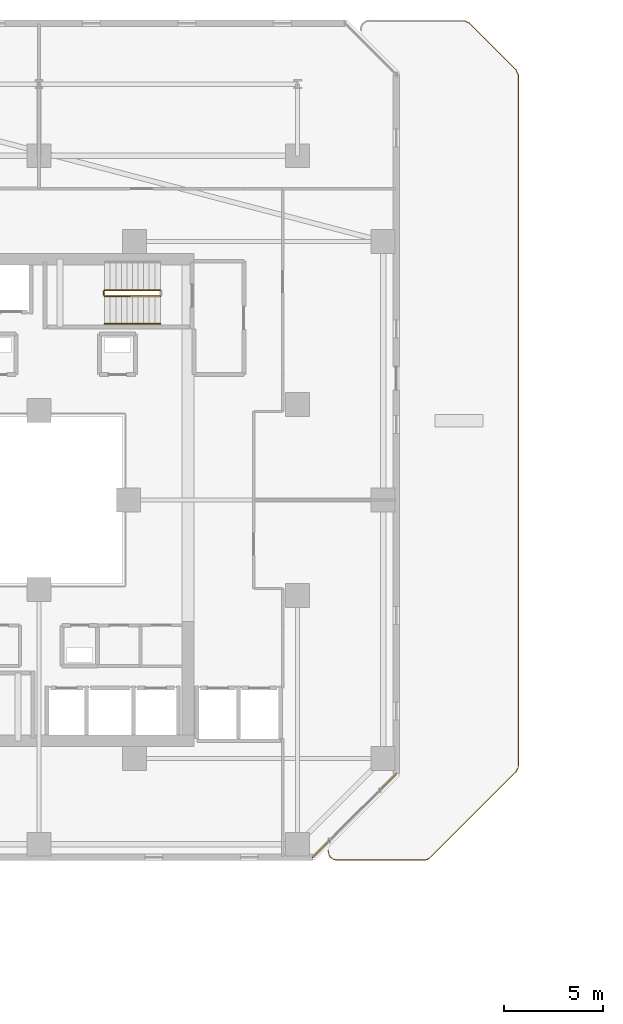
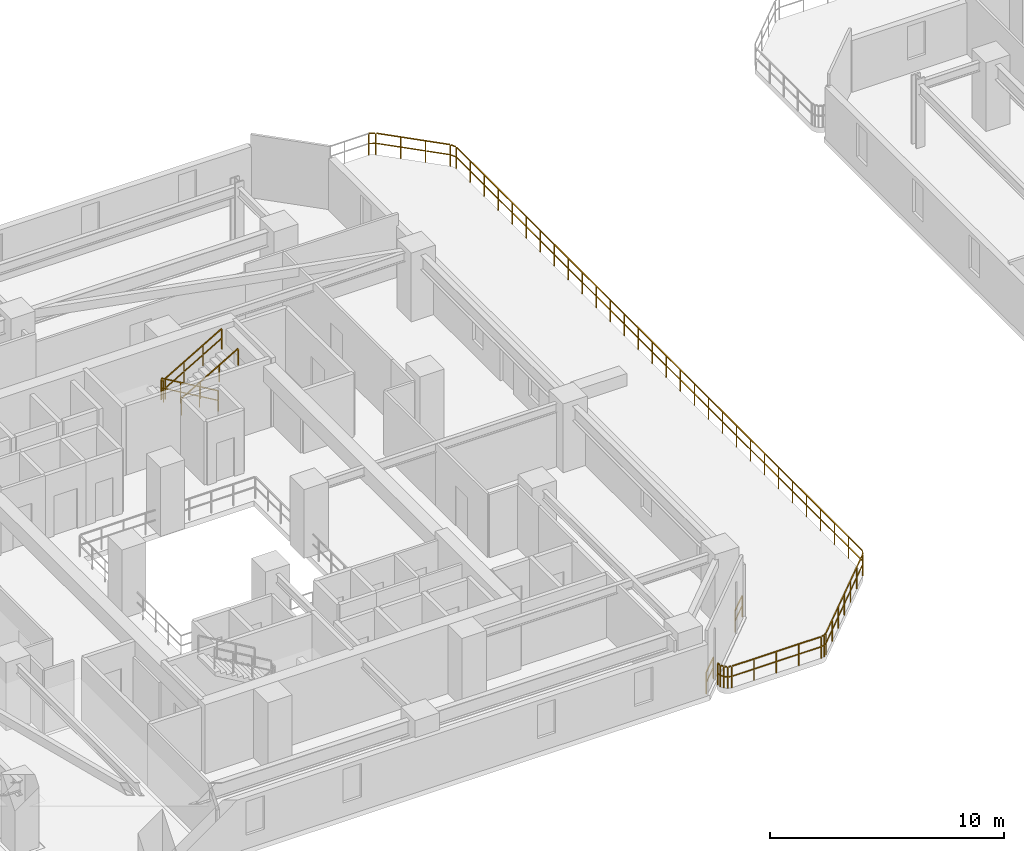
# One storey, part 30 of 33: 7 railings.
"""IFC4 building model written with IfcOpenShell, lengths in metres."""

import ifcopenshell
import ifcopenshell.guid

model = None  # the IFC model being written
_history = None  # IfcOwnerHistory: only IFC2X3 demands one
_inside = {}  # id of a spatial element -> (the spatial element, [elements in it])
_under = {}  # id of a project, library or spatial element -> (it, [spatial elements below it])
_declared = {}  # id of a project -> (the project, [libraries it declares])
_typed = {}  # id of a type object -> (the type object, [elements of that type])
_made_of = {}  # id of a material, layer set ... -> (it, [elements and type objects made of it])


def new_model(schema):
    """Start an empty IFC model of exactly this schema.

    Asked for "IFC4X3", IfcOpenShell would pick the latest addendum, in which some entities
    have other attributes; the version numbers below select the first issue.
    IFC2X3 requires an IfcOwnerHistory on every rooted entity: one is made here for all.
    """
    global model, _history
    if schema == "IFC4X3":
        model = ifcopenshell.file(schema_version=(4, 3, 0, 0))
    else:
        model = ifcopenshell.file(schema=schema)
    _inside.clear()
    _under.clear()
    _declared.clear()
    _typed.clear()
    _made_of.clear()
    _history = None
    if model.schema == "IFC2X3":
        org = make("IfcOrganization", Name="unknown")
        user = make(
            "IfcPersonAndOrganization",
            ThePerson=make("IfcPerson", FamilyName="unknown"),
            TheOrganization=org,
        )
        app = make(
            "IfcApplication",
            ApplicationDeveloper=org,
            Version="unknown",
            ApplicationFullName="unknown",
            ApplicationIdentifier="unknown",
        )
        _history = make(
            "IfcOwnerHistory",
            OwningUser=user,
            OwningApplication=app,
            ChangeAction="ADDED",
            CreationDate=0,
        )
    return model


def make(cls, **values):
    """One entity of the class cls with the attributes given. An attribute that is None is left unset."""
    return model.create_entity(
        cls, **{name: value for name, value in values.items() if value is not None}
    )


def rooted(cls, **values):
    """An entity with a GlobalId (a new one), such as an element, a storey or a relation."""
    return make(cls, GlobalId=ifcopenshell.guid.new(), OwnerHistory=_history, **values)


def si_unit(unit_type, name, prefix=None):
    """IfcSIUnit, for example si_unit("LENGTHUNIT", "METRE", prefix="MILLI")."""
    return make("IfcSIUnit", UnitType=unit_type, Prefix=prefix, Name=name)


def assignment(units):
    """IfcUnitAssignment: the units of a project."""
    return None if units is None else make("IfcUnitAssignment", Units=units)


def point(xyz):
    """IfcCartesianPoint."""
    return None if xyz is None else make("IfcCartesianPoint", Coordinates=xyz)


def direction(xyz):
    """IfcDirection."""
    return None if xyz is None else make("IfcDirection", DirectionRatios=xyz)


def frame(location, z_axis=None, x_axis=None):
    """IfcAxis2Placement3D, a coordinate frame: its origin and axes. An axis left out is left unset."""
    return make(
        "IfcAxis2Placement3D",
        Location=point(location),
        Axis=direction(z_axis),
        RefDirection=direction(x_axis),
    )


def frame_2d(location, x_axis=None):
    """IfcAxis2Placement2D, a coordinate frame in the plane: its origin and x axis."""
    return make(
        "IfcAxis2Placement2D", Location=point(location), RefDirection=direction(x_axis)
    )


def origin():
    """The frame at (0, 0, 0) with its axes left unset."""
    return frame((0.0, 0.0, 0.0))


def origin_2d():
    """The frame at (0, 0) in the plane with its x axis left unset."""
    return frame_2d((0.0, 0.0))


def place(relative_to, where):
    """IfcLocalPlacement: puts the frame where relative to a parent placement (None: the world)."""
    return make(
        "IfcLocalPlacement", PlacementRelTo=relative_to, RelativePlacement=where
    )


def context(
    kind, dimensions, precision=None, world=None, true_north=None, identifier=None
):
    """IfcGeometricRepresentationContext, for example the 3D "Model" context."""
    return make(
        "IfcGeometricRepresentationContext",
        ContextIdentifier=identifier,
        ContextType=kind,
        CoordinateSpaceDimension=dimensions,
        Precision=precision,
        WorldCoordinateSystem=world,
        TrueNorth=true_north,
    )


def subcontext(parent, identifier, kind, view, scale=None):
    """IfcGeometricRepresentationSubContext, for example "Body" below "Model"."""
    return make(
        "IfcGeometricRepresentationSubContext",
        ContextIdentifier=identifier,
        ContextType=kind,
        ParentContext=parent,
        TargetScale=scale,
        TargetView=view,
    )


def project(units=None, contexts=None):
    """IfcProject with its units and contexts."""
    return rooted(
        "IfcProject",
        Name="project",
        RepresentationContexts=contexts,
        UnitsInContext=assignment(units),
    )


def spatial(cls, under=None, at=None, **own):
    """A site, building, storey or space (cls), placed at a placement, below another one or the project."""
    s = rooted(cls, ObjectPlacement=at, **own)
    if under is not None:
        _under.setdefault(under.id(), (under, []))[1].append(s)
    return s


def profile(cls, at=None, kind="AREA", **sizes):
    """A parametric profile (cls). Its sizes go by their IFC names, for example OverallWidth=200.0."""
    return make(cls, ProfileType=kind, Position=at, **sizes)


def rectangle(**sizes):
    """IfcRectangleProfileDef."""
    return profile("IfcRectangleProfileDef", **sizes)


def extrude(swept, where, along, depth):
    """IfcExtrudedAreaSolid: the profile swept, set in the frame where, extruded along a direction by depth."""
    return make(
        "IfcExtrudedAreaSolid",
        SweptArea=swept,
        Position=where,
        ExtrudedDirection=direction(along),
        Depth=depth,
    )


def shape(context_of_items, identifier, shape_type, items):
    """IfcShapeRepresentation: the items that make up one representation, for example the "Body"."""
    return make(
        "IfcShapeRepresentation",
        ContextOfItems=context_of_items,
        RepresentationIdentifier=identifier,
        RepresentationType=shape_type,
        Items=items,
    )


def material(Name=None, Category=None):
    """IfcMaterial."""
    return make("IfcMaterial", Name=Name, Category=Category)


def made_of(thing, what):
    """Note that an element or type object is made of a material, layer set ...; save() writes the relation."""
    if what is not None:
        _made_of.setdefault(what.id(), (what, []))[1].append(thing)
    return thing


def type_object(cls, material=None, **own):
    """A type object (cls), such as IfcWallType, which elements share."""
    return made_of(rooted(cls, **own), material)


def element(
    cls,
    number,
    at=None,
    inside=None,
    cuts=None,
    type_object=None,
    material=None,
    context=None,
    identifier="Body",
    shape_type=None,
    held_by="IfcProductDefinitionShape",
    body=None,
    shapes=None,
    **own,
):
    """One element of the class cls, such as IfcWall. Its Tag is "e" and its number.

    at: its placement. inside: the storey or other place that contains it. cuts: it is an
    opening in that element (IfcRelVoidsElement). A single representation is given by context,
    identifier, shape_type and body (its items); several are given by shapes. held_by: the class
    of the entity that holds the representations. save() writes the other relations.
    """
    e = rooted(cls, Tag="e%d" % number, ObjectPlacement=at, **own)
    if body is not None:
        shapes = [shape(context, identifier, shape_type, body)]
    if shapes is not None:
        e.Representation = make(held_by, Representations=shapes)
    if inside is not None:
        _inside.setdefault(inside.id(), (inside, []))[1].append(e)
    if cuts is not None:
        rooted(
            "IfcRelVoidsElement", RelatingBuildingElement=cuts, RelatedOpeningElement=e
        )
    if type_object is not None:
        _typed.setdefault(type_object.id(), (type_object, []))[1].append(e)
    return made_of(e, material)


def aggregate(whole, parts):
    """IfcRelAggregates: a whole, such as a stair, and the parts it consists of."""
    return rooted("IfcRelAggregates", RelatingObject=whole, RelatedObjects=parts)


def save(model, path):
    """Write the relations noted so far, then the file.

    IfcRelAggregates (storeys below a building ...), IfcRelContainedInSpatialStructure (elements
    in a storey), IfcRelDefinesByType, IfcRelAssociatesMaterial and IfcRelDeclares: one each for
    every whole, place, type object, material and project.
    """
    for whole, parts in _under.values():
        aggregate(whole, parts)
    for where, things in _inside.values():
        rooted(
            "IfcRelContainedInSpatialStructure",
            RelatedElements=things,
            RelatingStructure=where,
        )
    for kind, things in _typed.values():
        rooted("IfcRelDefinesByType", RelatedObjects=things, RelatingType=kind)
    for what, things in _made_of.values():
        rooted("IfcRelAssociatesMaterial", RelatedObjects=things, RelatingMaterial=what)
    for by, libraries in _declared.values():
        rooted("IfcRelDeclares", RelatingContext=by, RelatedDefinitions=libraries)
    model.write(path)


model = new_model("IFC4")

# Units and contexts
model_context = context("Model", 3, precision=1e-05, world=origin(), true_north=direction((0.0, 1.0)))
body_context = subcontext(model_context, "Body", "Model", "MODEL_VIEW")
ifc_project = project(units=[si_unit("LENGTHUNIT", "METRE"), si_unit("AREAUNIT", "SQUARE_METRE"), si_unit("VOLUMEUNIT", "CUBIC_METRE"), si_unit("PLANEANGLEUNIT", "RADIAN"), si_unit("MASSUNIT", "GRAM", prefix="KILO")], contexts=[model_context])

# Site, building, storey
site_placement = place(None, origin())
site = spatial("IfcSite", under=ifc_project, at=site_placement, CompositionType="ELEMENT")
building_placement = place(site_placement, origin())
building = spatial("IfcBuilding", under=site, at=building_placement, Name="Thornwick Lancets Civic Towers", CompositionType="ELEMENT")
storey_placement = place(building_placement, frame((0.0, 0.0, 98.10009765625)))
storey = spatial("IfcBuildingStorey", under=building, at=storey_placement, Name="L25", CompositionType="ELEMENT", Elevation=98.10009765625)

# Railings
ifc_material_1 = material(Name="Brushed stainless steel S355", Category="steel")
railing_type_1 = type_object("IfcRailingType", Name="RAIL_HANDRAIL", PredefinedType="HANDRAIL", material=ifc_material_1)
railing_1_placement = place(storey_placement, frame((28.800048828125, 35.85009765625, 1.963623046875)))
element("IfcRailing", 1, at=railing_1_placement, inside=storey, type_object=railing_type_1, Name="L25 ST-A2 stair handrail 2", PredefinedType="HANDRAIL", context=body_context, shape_type="SweptSolid", body=[
    extrude(rectangle(XDim=0.048095703125, YDim=0.048095703125, at=origin_2d()), frame((0.0, 0.0, 0.8857421875), z_axis=(0.863393664356, 0.0, 0.504530851732), x_axis=(0.0, 1.0, 0.0)), (0.0, 0.0, 1.0), 3.2431640625),
    extrude(rectangle(XDim=0.0419921875, YDim=0.0419921875, at=origin_2d()), origin(), (0.0, 0.0, 1.0), 0.855712890625),
    extrude(rectangle(XDim=0.0419921875, YDim=0.0419921875, at=origin_2d()), frame((0.933349609375, 0.0, 0.54541015625)), (0.0, 0.0, 1.0), 0.855712890625),
    extrude(rectangle(XDim=0.0419921875, YDim=0.0419921875, at=origin_2d()), frame((1.86669921875, 0.0, 1.0908203125)), (0.0, 0.0, 1.0), 0.855712890625),
    extrude(rectangle(XDim=0.0419921875, YDim=0.0419921875, at=origin_2d()), frame((2.800048828125, 0.0, 1.63623046875)), (0.0, 0.0, 1.0), 0.855712890625),
])
ifc_material_2 = material(Name="Steel S355JR", Category="steel")
railing_type_2 = type_object("IfcRailingType", Name="RAIL_STAIR_GUARD", PredefinedType="GUARDRAIL", material=ifc_material_2)
railing_2_placement = place(storey_placement, frame((31.60009765625, 37.550048828125, 0.16357421875)))
element("IfcRailing", 2, at=railing_2_placement, inside=storey, type_object=railing_type_2, Name="L25 ST-A2 stair guard 1", PredefinedType="GUARDRAIL", context=body_context, shape_type="SweptSolid", body=[
    extrude(rectangle(XDim=0.048095703125, YDim=0.048095703125, at=origin_2d()), frame((0.0, 0.0, 1.076171875), z_axis=(-0.863393664356, 0.0, 0.504530851732), x_axis=(0.0, -1.0, 0.0)), (0.0, 0.0, 1.0), 3.2431640625),
    extrude(rectangle(XDim=0.0419921875, YDim=0.0419921875, at=origin_2d()), frame((-0.032470703125, 0.0, 0.591064453125), z_axis=(-0.863393664356, 0.0, 0.504530851732), x_axis=(0.0, -1.0, 0.0)), (0.0, 0.0, 1.0), 1.006103515625),
    extrude(rectangle(XDim=0.0419921875, YDim=0.0419921875, at=origin_2d()), frame((-0.9658203125, 0.0, 1.136474609375), z_axis=(-0.863393664356, 0.0, 0.504530851732), x_axis=(0.0, -1.0, 0.0)), (0.0, 0.0, 1.0), 1.006103515625),
    extrude(rectangle(XDim=0.0419921875, YDim=0.0419921875, at=origin_2d()), frame((-1.899169921875, 0.0, 1.681884765625), z_axis=(-0.863393664356, 0.0, 0.504530851732), x_axis=(0.0, -1.0, 0.0)), (0.0, 0.0, 1.0), 1.006103515625),
    extrude(rectangle(XDim=0.0419921875, YDim=0.0419921875, at=origin_2d()), origin(), (0.0, 0.0, 1.0), 1.0458984375),
    extrude(rectangle(XDim=0.0419921875, YDim=0.0419921875, at=origin_2d()), frame((-0.933349609375, 0.0, 0.54541015625)), (0.0, 0.0, 1.0), 1.0458984375),
    extrude(rectangle(XDim=0.0419921875, YDim=0.0419921875, at=origin_2d()), frame((-1.86669921875, 0.0, 1.0908203125)), (0.0, 0.0, 1.0), 1.0458984375),
    extrude(rectangle(XDim=0.0419921875, YDim=0.0419921875, at=origin_2d()), frame((-2.800048828125, 0.0, 1.63623046875)), (0.0, 0.0, 1.0), 1.0458984375),
])
railing_3_placement = place(storey_placement, frame((28.75, 37.5, 1.7998046875)))
element("IfcRailing", 3, at=railing_3_placement, inside=storey, type_object=railing_type_2, Name="L25 ST-A2 stair guard 2", PredefinedType="GUARDRAIL", context=body_context, shape_type="SweptSolid", body=[
    extrude(rectangle(XDim=0.048095703125, YDim=0.048095703125, at=origin_2d()), frame((0.0, 0.0, 1.076171875), z_axis=(0.0, -1.0, 0.0), x_axis=(1.0, 0.0, 0.0)), (0.0, 0.0, 1.0), 0.199951171875),
    extrude(rectangle(XDim=0.0419921875, YDim=0.0419921875, at=origin_2d()), frame((0.0, -0.03759765625, 0.572021484375), z_axis=(0.0, -1.0, 0.0), x_axis=(1.0, 0.0, 0.0)), (0.0, 0.0, 1.0), 0.125),
    extrude(rectangle(XDim=0.0419921875, YDim=0.0419921875, at=origin_2d()), origin(), (0.0, 0.0, 1.0), 1.0458984375),
    extrude(rectangle(XDim=0.0419921875, YDim=0.0419921875, at=origin_2d()), frame((0.0, -0.199951171875, 0.0)), (0.0, 0.0, 1.0), 1.0458984375),
])
railing_4_placement = place(storey_placement, frame((28.800048828125, 37.25, 1.963623046875)))
element("IfcRailing", 4, at=railing_4_placement, inside=storey, type_object=railing_type_2, Name="L25 ST-A2 stair guard 3", PredefinedType="GUARDRAIL", context=body_context, shape_type="SweptSolid", body=[
    extrude(rectangle(XDim=0.048095703125, YDim=0.048095703125, at=origin_2d()), frame((0.0, 0.0, 1.076171875), z_axis=(0.863393664356, 0.0, 0.504530851732), x_axis=(0.0, 1.0, 0.0)), (0.0, 0.0, 1.0), 3.2431640625),
    extrude(rectangle(XDim=0.0419921875, YDim=0.0419921875, at=origin_2d()), frame((0.032470703125, 0.0, 0.591064453125), z_axis=(0.863393664356, 0.0, 0.504530851732), x_axis=(0.0, 1.0, 0.0)), (0.0, 0.0, 1.0), 1.006103515625),
    extrude(rectangle(XDim=0.0419921875, YDim=0.0419921875, at=origin_2d()), frame((0.9658203125, 0.0, 1.136474609375), z_axis=(0.863393664356, 0.0, 0.504530851732), x_axis=(0.0, 1.0, 0.0)), (0.0, 0.0, 1.0), 1.006103515625),
    extrude(rectangle(XDim=0.0419921875, YDim=0.0419921875, at=origin_2d()), frame((1.899169921875, 0.0, 1.681884765625), z_axis=(0.863393664356, 0.0, 0.504530851732), x_axis=(0.0, 1.0, 0.0)), (0.0, 0.0, 1.0), 1.006103515625),
    extrude(rectangle(XDim=0.0419921875, YDim=0.0419921875, at=origin_2d()), origin(), (0.0, 0.0, 1.0), 1.0458984375),
    extrude(rectangle(XDim=0.0419921875, YDim=0.0419921875, at=origin_2d()), frame((0.933349609375, 0.0, 0.54541015625)), (0.0, 0.0, 1.0), 1.0458984375),
    extrude(rectangle(XDim=0.0419921875, YDim=0.0419921875, at=origin_2d()), frame((1.86669921875, 0.0, 1.0908203125)), (0.0, 0.0, 1.0), 1.0458984375),
    extrude(rectangle(XDim=0.0419921875, YDim=0.0419921875, at=origin_2d()), frame((2.800048828125, 0.0, 1.63623046875)), (0.0, 0.0, 1.0), 1.0458984375),
])
ifc_material_3 = material(Name="Terracotta-capped laminated glass balustrade S355", Category="masonry")
railing_type_3 = type_object("IfcRailingType", Name="RAIL_TERR_GUARD", PredefinedType="GUARDRAIL", material=ifc_material_3)
railing_5_placement = place(storey_placement, frame((39.251708984375, 9.04052734375, 0.0)))
element("IfcRailing", 5, at=railing_5_placement, inside=storey, type_object=railing_type_3, Name="L25 Tower A Chamfer Spandrel Guard E1-1", PredefinedType="GUARDRAIL", context=body_context, shape_type="SweptSolid", body=[
    extrude(rectangle(XDim=0.048095703125, YDim=0.048095703125, at=origin_2d()), frame((0.0, 0.0, 1.1259765625), z_axis=(0.707003741949, 0.707209805412, 0.0), x_axis=(-0.707209805412, 0.707003741949, 0.0)), (0.0, 0.0, 1.0), 1.184814453125),
    extrude(rectangle(XDim=0.0419921875, YDim=0.0419921875, at=origin_2d()), frame((0.026611328125, 0.026611328125, 0.597900390625), z_axis=(0.707003741949, 0.707209805412, 0.0), x_axis=(-0.707209805412, 0.707003741949, 0.0)), (0.0, 0.0, 1.0), 1.10986328125),
    extrude(rectangle(XDim=0.0419921875, YDim=0.0419921875, at=origin_2d()), origin(), (0.0, 0.0, 1.0), 1.095703125),
    extrude(rectangle(XDim=0.0419921875, YDim=0.0419921875, at=origin_2d()), frame((0.837646484375, 0.837890625, 0.0)), (0.0, 0.0, 1.0), 1.095703125),
])
railing_6_placement = place(storey_placement, frame((42.62158203125, 12.41064453125, 0.0)))
element("IfcRailing", 6, at=railing_6_placement, inside=storey, type_object=railing_type_3, Name="L25 Tower A Chamfer Spandrel Guard E1-2", PredefinedType="GUARDRAIL", context=body_context, shape_type="SweptSolid", body=[
    extrude(rectangle(XDim=0.048095703125, YDim=0.048095703125, at=origin_2d()), frame((0.0, 0.0, 1.1259765625), z_axis=(0.707209805412, 0.707003741949, 0.0), x_axis=(-0.707003741949, 0.707209805412, 0.0)), (0.0, 0.0, 1.0), 1.184814453125),
    extrude(rectangle(XDim=0.0419921875, YDim=0.0419921875, at=origin_2d()), frame((0.026611328125, 0.026611328125, 0.597900390625), z_axis=(0.707209805412, 0.707003741949, 0.0), x_axis=(-0.707003741949, 0.707209805412, 0.0)), (0.0, 0.0, 1.0), 1.10986328125),
    extrude(rectangle(XDim=0.0419921875, YDim=0.0419921875, at=origin_2d()), origin(), (0.0, 0.0, 1.0), 1.095703125),
    extrude(rectangle(XDim=0.0419921875, YDim=0.0419921875, at=origin_2d()), frame((0.837890625, 0.837646484375, 0.0)), (0.0, 0.0, 1.0), 1.095703125),
])
railing_7_placement = place(storey_placement, frame((46.857666015625, 51.097900390625, 0.0)))
element("IfcRailing", 7, at=railing_7_placement, inside=storey, type_object=railing_type_3, Name="L25 Tower A Sky-Garden Guard 1 Part 1", PredefinedType="GUARDRAIL", context=body_context, shape_type="SweptSolid", body=[
    extrude(rectangle(XDim=0.048095703125, YDim=0.048095703125, at=origin_2d()), frame((0.0, 0.0, 1.1259765625), z_axis=(0.904032675255, -0.427463357578, 0.0), x_axis=(0.427463357578, 0.904032675255, 0.0)), (0.0, 0.0, 1.0), 0.27197265625),
    extrude(rectangle(XDim=0.0419921875, YDim=0.0419921875, at=origin_2d()), frame((0.033935546875, -0.01611328125, 0.597900390625), z_axis=(0.904032675255, -0.427463357578, 0.0), x_axis=(0.427463357578, 0.904032675255, 0.0)), (0.0, 0.0, 1.0), 0.228271484375),
    extrude(rectangle(XDim=0.048095703125, YDim=0.048095703125, at=origin_2d()), frame((0.29638671875, -0.15185546875, 1.1259765625), z_axis=(0.707106781187, -0.707106781187, 0.0), x_axis=(0.707106781187, 0.707106781187, 0.0)), (0.0, 0.0, 1.0), 3.24169921875),
    extrude(rectangle(XDim=0.0419921875, YDim=0.0419921875, at=origin_2d()), frame((0.30078125, -0.15625, 0.597900390625), z_axis=(0.707106781187, -0.707106781187, 0.0), x_axis=(0.707106781187, 0.707106781187, 0.0)), (0.0, 0.0, 1.0), 1.0263671875),
    extrude(rectangle(XDim=0.0419921875, YDim=0.0419921875, at=origin_2d()), frame((1.07958984375, -0.93505859375, 0.597900390625), z_axis=(0.707106781187, -0.707106781187, 0.0), x_axis=(0.707106781187, 0.707106781187, 0.0)), (0.0, 0.0, 1.0), 1.0263671875),
    extrude(rectangle(XDim=0.0419921875, YDim=0.0419921875, at=origin_2d()), frame((1.8583984375, -1.7138671875, 0.597900390625), z_axis=(0.707106781187, -0.707106781187, 0.0), x_axis=(0.707106781187, 0.707106781187, 0.0)), (0.0, 0.0, 1.0), 1.0263671875),
    extrude(rectangle(XDim=0.048095703125, YDim=0.048095703125, at=origin_2d()), frame((2.6240234375, -2.494384765625, 1.1259765625), z_axis=(0.427463357578, -0.904032675255, 0.0), x_axis=(0.904032675255, 0.427463357578, 0.0)), (0.0, 0.0, 1.0), 0.24072265625),
    extrude(rectangle(XDim=0.0419921875, YDim=0.0419921875, at=origin_2d()), frame((2.626708984375, -2.5, 0.597900390625), z_axis=(0.427463357578, -0.904032675255, 0.0), x_axis=(0.904032675255, 0.427463357578, 0.0)), (0.0, 0.0, 1.0), 0.228271484375),
    extrude(rectangle(XDim=0.048095703125, YDim=0.048095703125, at=origin_2d()), frame((2.740234375, -2.771484375, 1.1259765625), z_axis=(-0.000189445762, -0.999999982055, 0.0), x_axis=(0.999999982055, -0.000189445762, 0.0)), (0.0, 0.0, 1.0), 34.732666015625),
    extrude(rectangle(XDim=0.0419921875, YDim=0.0419921875, at=origin_2d()), frame((2.740234375, -2.77783203125, 0.597900390625), z_axis=(-0.000189445762, -0.999999982055, 0.0), x_axis=(0.999999982055, -0.000189445762, 0.0)), (0.0, 0.0, 1.0), 1.124755859375),
    extrude(rectangle(XDim=0.0419921875, YDim=0.0419921875, at=origin_2d()), frame((2.739990234375, -3.9775390625, 0.597900390625), z_axis=(-0.000189445762, -0.999999982055, 0.0), x_axis=(0.999999982055, -0.000189445762, 0.0)), (0.0, 0.0, 1.0), 1.124755859375),
    extrude(rectangle(XDim=0.0419921875, YDim=0.0419921875, at=origin_2d()), frame((2.73974609375, -5.177490234375, 0.597900390625), z_axis=(-0.000189445762, -0.999999982055, 0.0), x_axis=(0.999999982055, -0.000189445762, 0.0)), (0.0, 0.0, 1.0), 1.124755859375),
    extrude(rectangle(XDim=0.0419921875, YDim=0.0419921875, at=origin_2d()), frame((2.739501953125, -6.377197265625, 0.597900390625), z_axis=(-0.000189445762, -0.999999982055, 0.0), x_axis=(0.999999982055, -0.000189445762, 0.0)), (0.0, 0.0, 1.0), 1.124755859375),
    extrude(rectangle(XDim=0.0419921875, YDim=0.0419921875, at=origin_2d()), frame((2.7392578125, -7.5771484375, 0.597900390625), z_axis=(-0.000189445762, -0.999999982055, 0.0), x_axis=(0.999999982055, -0.000189445762, 0.0)), (0.0, 0.0, 1.0), 1.124755859375),
    extrude(rectangle(XDim=0.0419921875, YDim=0.0419921875, at=origin_2d()), frame((2.739013671875, -8.77685546875, 0.597900390625), z_axis=(-0.000189445762, -0.999999982055, 0.0), x_axis=(0.999999982055, -0.000189445762, 0.0)), (0.0, 0.0, 1.0), 1.124755859375),
    extrude(rectangle(XDim=0.0419921875, YDim=0.0419921875, at=origin_2d()), frame((2.73876953125, -9.976806640625, 0.597900390625), z_axis=(-0.000189445762, -0.999999982055, 0.0), x_axis=(0.999999982055, -0.000189445762, 0.0)), (0.0, 0.0, 1.0), 1.124755859375),
    extrude(rectangle(XDim=0.0419921875, YDim=0.0419921875, at=origin_2d()), frame((2.738525390625, -11.176513671875, 0.597900390625), z_axis=(-0.000189445762, -0.999999982055, 0.0), x_axis=(0.999999982055, -0.000189445762, 0.0)), (0.0, 0.0, 1.0), 1.124755859375),
    extrude(rectangle(XDim=0.0419921875, YDim=0.0419921875, at=origin_2d()), frame((2.738525390625, -12.37646484375, 0.597900390625), z_axis=(-0.000189445762, -0.999999982055, 0.0), x_axis=(0.999999982055, -0.000189445762, 0.0)), (0.0, 0.0, 1.0), 1.124755859375),
    extrude(rectangle(XDim=0.0419921875, YDim=0.0419921875, at=origin_2d()), frame((2.73828125, -13.576171875, 0.597900390625), z_axis=(-0.000189445762, -0.999999982055, 0.0), x_axis=(0.999999982055, -0.000189445762, 0.0)), (0.0, 0.0, 1.0), 1.124755859375),
    extrude(rectangle(XDim=0.0419921875, YDim=0.0419921875, at=origin_2d()), frame((2.738037109375, -14.776123046875, 0.597900390625), z_axis=(-0.000189445762, -0.999999982055, 0.0), x_axis=(0.999999982055, -0.000189445762, 0.0)), (0.0, 0.0, 1.0), 1.124755859375),
    extrude(rectangle(XDim=0.0419921875, YDim=0.0419921875, at=origin_2d()), frame((2.73779296875, -15.975830078125, 0.597900390625), z_axis=(-0.000189445762, -0.999999982055, 0.0), x_axis=(0.999999982055, -0.000189445762, 0.0)), (0.0, 0.0, 1.0), 1.124755859375),
    extrude(rectangle(XDim=0.0419921875, YDim=0.0419921875, at=origin_2d()), frame((2.737548828125, -17.17578125, 0.597900390625), z_axis=(-0.000189445762, -0.999999982055, 0.0), x_axis=(0.999999982055, -0.000189445762, 0.0)), (0.0, 0.0, 1.0), 1.124755859375),
    extrude(rectangle(XDim=0.0419921875, YDim=0.0419921875, at=origin_2d()), frame((2.7373046875, -18.37548828125, 0.597900390625), z_axis=(-0.000189445762, -0.999999982055, 0.0), x_axis=(0.999999982055, -0.000189445762, 0.0)), (0.0, 0.0, 1.0), 1.124755859375),
    extrude(rectangle(XDim=0.0419921875, YDim=0.0419921875, at=origin_2d()), frame((2.737060546875, -19.575439453125, 0.597900390625), z_axis=(-0.000189445762, -0.999999982055, 0.0), x_axis=(0.999999982055, -0.000189445762, 0.0)), (0.0, 0.0, 1.0), 1.124755859375),
    extrude(rectangle(XDim=0.0419921875, YDim=0.0419921875, at=origin_2d()), frame((2.73681640625, -20.775146484375, 0.597900390625), z_axis=(-0.000189445762, -0.999999982055, 0.0), x_axis=(0.999999982055, -0.000189445762, 0.0)), (0.0, 0.0, 1.0), 1.124755859375),
    extrude(rectangle(XDim=0.0419921875, YDim=0.0419921875, at=origin_2d()), frame((2.736572265625, -21.97509765625, 0.597900390625), z_axis=(-0.000189445762, -0.999999982055, 0.0), x_axis=(0.999999982055, -0.000189445762, 0.0)), (0.0, 0.0, 1.0), 1.124755859375),
    extrude(rectangle(XDim=0.0419921875, YDim=0.0419921875, at=origin_2d()), frame((2.736328125, -23.1748046875, 0.597900390625), z_axis=(-0.000189445762, -0.999999982055, 0.0), x_axis=(0.999999982055, -0.000189445762, 0.0)), (0.0, 0.0, 1.0), 1.124755859375),
    extrude(rectangle(XDim=0.0419921875, YDim=0.0419921875, at=origin_2d()), frame((2.736083984375, -24.374755859375, 0.597900390625), z_axis=(-0.000189445762, -0.999999982055, 0.0), x_axis=(0.999999982055, -0.000189445762, 0.0)), (0.0, 0.0, 1.0), 1.124755859375),
    extrude(rectangle(XDim=0.0419921875, YDim=0.0419921875, at=origin_2d()), frame((2.73583984375, -25.574462890625, 0.597900390625), z_axis=(-0.000189445762, -0.999999982055, 0.0), x_axis=(0.999999982055, -0.000189445762, 0.0)), (0.0, 0.0, 1.0), 1.124755859375),
    extrude(rectangle(XDim=0.0419921875, YDim=0.0419921875, at=origin_2d()), frame((2.735595703125, -26.7744140625, 0.597900390625), z_axis=(-0.000189445762, -0.999999982055, 0.0), x_axis=(0.999999982055, -0.000189445762, 0.0)), (0.0, 0.0, 1.0), 1.124755859375),
    extrude(rectangle(XDim=0.0419921875, YDim=0.0419921875, at=origin_2d()), frame((2.7353515625, -27.97412109375, 0.597900390625), z_axis=(-0.000189445762, -0.999999982055, 0.0), x_axis=(0.999999982055, -0.000189445762, 0.0)), (0.0, 0.0, 1.0), 1.124755859375),
    extrude(rectangle(XDim=0.0419921875, YDim=0.0419921875, at=origin_2d()), frame((2.735107421875, -29.174072265625, 0.597900390625), z_axis=(-0.000189445762, -0.999999982055, 0.0), x_axis=(0.999999982055, -0.000189445762, 0.0)), (0.0, 0.0, 1.0), 1.124755859375),
    extrude(rectangle(XDim=0.0419921875, YDim=0.0419921875, at=origin_2d()), frame((2.735107421875, -30.373779296875, 0.597900390625), z_axis=(-0.000189445762, -0.999999982055, 0.0), x_axis=(0.999999982055, -0.000189445762, 0.0)), (0.0, 0.0, 1.0), 1.124755859375),
    extrude(rectangle(XDim=0.0419921875, YDim=0.0419921875, at=origin_2d()), frame((2.73486328125, -31.57373046875, 0.597900390625), z_axis=(-0.000189445762, -0.999999982055, 0.0), x_axis=(0.999999982055, -0.000189445762, 0.0)), (0.0, 0.0, 1.0), 1.124755859375),
    extrude(rectangle(XDim=0.0419921875, YDim=0.0419921875, at=origin_2d()), frame((2.734619140625, -32.773681640625, 0.597900390625), z_axis=(-0.000189445762, -0.999999982055, 0.0), x_axis=(0.999999982055, -0.000189445762, 0.0)), (0.0, 0.0, 1.0), 1.124755859375),
    extrude(rectangle(XDim=0.0419921875, YDim=0.0419921875, at=origin_2d()), frame((2.734375, -33.973388671875, 0.597900390625), z_axis=(-0.000189445762, -0.999999982055, 0.0), x_axis=(0.999999982055, -0.000189445762, 0.0)), (0.0, 0.0, 1.0), 1.124755859375),
    extrude(rectangle(XDim=0.0419921875, YDim=0.0419921875, at=origin_2d()), frame((2.734130859375, -35.17333984375, 0.597900390625), z_axis=(-0.000189445762, -0.999999982055, 0.0), x_axis=(0.999999982055, -0.000189445762, 0.0)), (0.0, 0.0, 1.0), 1.124755859375),
    extrude(rectangle(XDim=0.0419921875, YDim=0.0419921875, at=origin_2d()), frame((2.73388671875, -36.373046875, 0.597900390625), z_axis=(-0.000189445762, -0.999999982055, 0.0), x_axis=(0.999999982055, -0.000189445762, 0.0)), (0.0, 0.0, 1.0), 1.124755859375),
    extrude(rectangle(XDim=0.048095703125, YDim=0.048095703125, at=origin_2d()), frame((2.718994140625, -37.56298828125, 1.1259765625), z_axis=(-0.471364729092, -0.881938372092, 0.0), x_axis=(0.881938372092, -0.471364729092, 0.0)), (0.0, 0.0, 1.0), 0.198486328125),
    extrude(rectangle(XDim=0.0419921875, YDim=0.0419921875, at=origin_2d()), frame((2.716064453125, -37.568359375, 0.597900390625), z_axis=(-0.471364729092, -0.881938372092, 0.0), x_axis=(0.881938372092, -0.471364729092, 0.0)), (0.0, 0.0, 1.0), 0.18603515625),
    extrude(rectangle(XDim=0.048095703125, YDim=0.048095703125, at=origin_2d()), frame((2.58837890625, -37.787841796875, 1.1259765625), z_axis=(-0.707106781187, -0.707106781187, 0.0), x_axis=(0.707106781187, -0.707106781187, 0.0)), (0.0, 0.0, 1.0), 6.019287109375),
    extrude(rectangle(XDim=0.0419921875, YDim=0.0419921875, at=origin_2d()), frame((2.583984375, -37.792236328125, 0.597900390625), z_axis=(-0.707106781187, -0.707106781187, 0.0), x_axis=(0.707106781187, -0.707106781187, 0.0)), (0.0, 0.0, 1.0), 0.938720703125),
    extrude(rectangle(XDim=0.0419921875, YDim=0.0419921875, at=origin_2d()), frame((1.867431640625, -38.5087890625, 0.597900390625), z_axis=(-0.707106781187, -0.707106781187, 0.0), x_axis=(0.707106781187, -0.707106781187, 0.0)), (0.0, 0.0, 1.0), 0.938720703125),
    extrude(rectangle(XDim=0.0419921875, YDim=0.0419921875, at=origin_2d()), frame((1.150634765625, -39.2255859375, 0.597900390625), z_axis=(-0.707106781187, -0.707106781187, 0.0), x_axis=(0.707106781187, -0.707106781187, 0.0)), (0.0, 0.0, 1.0), 0.938720703125),
    extrude(rectangle(XDim=0.0419921875, YDim=0.0419921875, at=origin_2d()), frame((0.433837890625, -39.9423828125, 0.597900390625), z_axis=(-0.707106781187, -0.707106781187, 0.0), x_axis=(0.707106781187, -0.707106781187, 0.0)), (0.0, 0.0, 1.0), 0.938720703125),
    extrude(rectangle(XDim=0.0419921875, YDim=0.0419921875, at=origin_2d()), frame((-0.282958984375, -40.6591796875, 0.597900390625), z_axis=(-0.707106781187, -0.707106781187, 0.0), x_axis=(0.707106781187, -0.707106781187, 0.0)), (0.0, 0.0, 1.0), 0.938720703125),
    extrude(rectangle(XDim=0.0419921875, YDim=0.0419921875, at=origin_2d()), frame((-0.999755859375, -41.3759765625, 0.597900390625), z_axis=(-0.707106781187, -0.707106781187, 0.0), x_axis=(0.707106781187, -0.707106781187, 0.0)), (0.0, 0.0, 1.0), 0.938720703125),
    extrude(rectangle(XDim=0.048095703125, YDim=0.048095703125, at=origin_2d()), frame((-1.716064453125, -42.08349609375, 1.1259765625), z_axis=(-0.831836227726, -0.555021161978, 0.0), x_axis=(0.555021161978, -0.831836227726, 0.0)), (0.0, 0.0, 1.0), 0.113037109375),
    extrude(rectangle(XDim=0.0419921875, YDim=0.0419921875, at=origin_2d()), frame((-1.72119140625, -42.0869140625, 0.597900390625), z_axis=(-0.831836227726, -0.555021161978, 0.0), x_axis=(0.555021161978, -0.831836227726, 0.0)), (0.0, 0.0, 1.0), 0.1005859375),
    extrude(rectangle(XDim=0.048095703125, YDim=0.048095703125, at=origin_2d()), frame((-1.86669921875, -42.169677734375, 1.1259765625), z_axis=(-0.980580675691, -0.196116135138, 0.0), x_axis=(0.196116135138, -0.980580675691, 0.0)), (0.0, 0.0, 1.0), 0.113037109375),
    extrude(rectangle(XDim=0.0419921875, YDim=0.0419921875, at=origin_2d()), frame((-1.872802734375, -42.1708984375, 0.597900390625), z_axis=(-0.980580675691, -0.196116135138, 0.0), x_axis=(0.196116135138, -0.980580675691, 0.0)), (0.0, 0.0, 1.0), 0.1005859375),
    extrude(rectangle(XDim=0.048095703125, YDim=0.048095703125, at=origin_2d()), frame((-2.039306640625, -42.197998046875, 1.1259765625), z_axis=(-0.999999876159, 0.000497677443, 0.0), x_axis=(-0.000497677443, -0.999999876159, 0.0)), (0.0, 0.0, 1.0), 4.3525390625),
    extrude(rectangle(XDim=0.0419921875, YDim=0.0419921875, at=origin_2d()), frame((-2.045654296875, -42.197998046875, 0.597900390625), z_axis=(-0.999999876159, 0.000497677443, 0.0), x_axis=(-0.000497677443, -0.999999876159, 0.0)), (0.0, 0.0, 1.0), 1.02880859375),
    extrude(rectangle(XDim=0.0419921875, YDim=0.0419921875, at=origin_2d()), frame((-3.1494140625, -42.197509765625, 0.597900390625), z_axis=(-0.999999876159, 0.000497677443, 0.0), x_axis=(-0.000497677443, -0.999999876159, 0.0)), (0.0, 0.0, 1.0), 1.02880859375),
    extrude(rectangle(XDim=0.0419921875, YDim=0.0419921875, at=origin_2d()), frame((-4.253173828125, -42.19677734375, 0.597900390625), z_axis=(-0.999999876159, 0.000497677443, 0.0), x_axis=(-0.000497677443, -0.999999876159, 0.0)), (0.0, 0.0, 1.0), 1.02880859375),
    extrude(rectangle(XDim=0.0419921875, YDim=0.0419921875, at=origin_2d()), frame((-5.35693359375, -42.1962890625, 0.597900390625), z_axis=(-0.999999876159, 0.000497677443, 0.0), x_axis=(-0.000497677443, -0.999999876159, 0.0)), (0.0, 0.0, 1.0), 1.02880859375),
    extrude(rectangle(XDim=0.048095703125, YDim=0.048095703125, at=origin_2d()), frame((-6.453125, -42.186767578125, 1.1259765625), z_axis=(-0.956825336025, 0.290663510508, 0.0), x_axis=(-0.290663510508, -0.956825336025, 0.0)), (0.0, 0.0, 1.0), 0.113037109375),
    extrude(rectangle(XDim=0.0419921875, YDim=0.0419921875, at=origin_2d()), frame((-6.458984375, -42.184814453125, 0.597900390625), z_axis=(-0.956825336025, 0.290663510508, 0.0), x_axis=(-0.290663510508, -0.956825336025, 0.0)), (0.0, 0.0, 1.0), 0.1005859375),
    extrude(rectangle(XDim=0.048095703125, YDim=0.048095703125, at=origin_2d()), frame((-6.615234375, -42.125, 1.1259765625), z_axis=(-0.773213238462, 0.634146109242, 0.0), x_axis=(-0.634146109242, -0.773213238462, 0.0)), (0.0, 0.0, 1.0), 0.113037109375),
    extrude(rectangle(XDim=0.0419921875, YDim=0.0419921875, at=origin_2d()), frame((-6.6201171875, -42.12109375, 0.597900390625), z_axis=(-0.773213238462, 0.634146109242, 0.0), x_axis=(-0.634146109242, -0.773213238462, 0.0)), (0.0, 0.0, 1.0), 0.1005859375),
    extrude(rectangle(XDim=0.048095703125, YDim=0.048095703125, at=origin_2d()), frame((-6.741455078125, -42.005859375, 1.1259765625), z_axis=(-0.470948722639, 0.882160586654, 0.0), x_axis=(-0.882160586654, -0.470948722639, 0.0)), (0.0, 0.0, 1.0), 0.11328125),
    extrude(rectangle(XDim=0.0419921875, YDim=0.0419921875, at=origin_2d()), frame((-6.744384765625, -42.00048828125, 0.597900390625), z_axis=(-0.470948722639, 0.882160586654, 0.0), x_axis=(-0.882160586654, -0.470948722639, 0.0)), (0.0, 0.0, 1.0), 0.100830078125),
    extrude(rectangle(XDim=0.048095703125, YDim=0.048095703125, at=origin_2d()), frame((-6.8125, -41.847412109375, 1.1259765625), z_axis=(-0.094101126617, 0.99556264392, 0.0), x_axis=(-0.99556264392, -0.094101126617, 0.0)), (0.0, 0.0, 1.0), 0.147705078125),
    extrude(rectangle(XDim=0.0419921875, YDim=0.0419921875, at=origin_2d()), frame((-6.81298828125, -41.841064453125, 0.597900390625), z_axis=(-0.094101126617, 0.99556264392, 0.0), x_axis=(-0.99556264392, -0.094101126617, 0.0)), (0.0, 0.0, 1.0), 0.10400390625),
    extrude(rectangle(XDim=0.0419921875, YDim=0.0419921875, at=origin_2d()), origin(), (0.0, 0.0, 1.0), 1.095703125),
    extrude(rectangle(XDim=0.0419921875, YDim=0.0419921875, at=origin_2d()), frame((0.274169921875, -0.129638671875, 0.0)), (0.0, 0.0, 1.0), 1.095703125),
    extrude(rectangle(XDim=0.0419921875, YDim=0.0419921875, at=origin_2d()), frame((1.052978515625, -0.908447265625, 0.0)), (0.0, 0.0, 1.0), 1.095703125),
    extrude(rectangle(XDim=0.0419921875, YDim=0.0419921875, at=origin_2d()), frame((1.831787109375, -1.687255859375, 0.0)), (0.0, 0.0, 1.0), 1.095703125),
    extrude(rectangle(XDim=0.0419921875, YDim=0.0419921875, at=origin_2d()), frame((2.610595703125, -2.466064453125, 0.0)), (0.0, 0.0, 1.0), 1.095703125),
    extrude(rectangle(XDim=0.0419921875, YDim=0.0419921875, at=origin_2d()), frame((2.740234375, -2.740234375, 0.0)), (0.0, 0.0, 1.0), 1.095703125),
    extrude(rectangle(XDim=0.0419921875, YDim=0.0419921875, at=origin_2d()), frame((2.739990234375, -3.940185546875, 0.0)), (0.0, 0.0, 1.0), 1.095703125),
    extrude(rectangle(XDim=0.0419921875, YDim=0.0419921875, at=origin_2d()), frame((2.73974609375, -5.139892578125, 0.0)), (0.0, 0.0, 1.0), 1.095703125),
    extrude(rectangle(XDim=0.0419921875, YDim=0.0419921875, at=origin_2d()), frame((2.739501953125, -6.33984375, 0.0)), (0.0, 0.0, 1.0), 1.095703125),
    extrude(rectangle(XDim=0.0419921875, YDim=0.0419921875, at=origin_2d()), frame((2.7392578125, -7.53955078125, 0.0)), (0.0, 0.0, 1.0), 1.095703125),
    extrude(rectangle(XDim=0.0419921875, YDim=0.0419921875, at=origin_2d()), frame((2.739013671875, -8.739501953125, 0.0)), (0.0, 0.0, 1.0), 1.095703125),
    extrude(rectangle(XDim=0.0419921875, YDim=0.0419921875, at=origin_2d()), frame((2.73876953125, -9.939208984375, 0.0)), (0.0, 0.0, 1.0), 1.095703125),
    extrude(rectangle(XDim=0.0419921875, YDim=0.0419921875, at=origin_2d()), frame((2.738525390625, -11.13916015625, 0.0)), (0.0, 0.0, 1.0), 1.095703125),
    extrude(rectangle(XDim=0.0419921875, YDim=0.0419921875, at=origin_2d()), frame((2.738525390625, -12.3388671875, 0.0)), (0.0, 0.0, 1.0), 1.095703125),
    extrude(rectangle(XDim=0.0419921875, YDim=0.0419921875, at=origin_2d()), frame((2.73828125, -13.538818359375, 0.0)), (0.0, 0.0, 1.0), 1.095703125),
    extrude(rectangle(XDim=0.0419921875, YDim=0.0419921875, at=origin_2d()), frame((2.738037109375, -14.738525390625, 0.0)), (0.0, 0.0, 1.0), 1.095703125),
    extrude(rectangle(XDim=0.0419921875, YDim=0.0419921875, at=origin_2d()), frame((2.73779296875, -15.9384765625, 0.0)), (0.0, 0.0, 1.0), 1.095703125),
    extrude(rectangle(XDim=0.0419921875, YDim=0.0419921875, at=origin_2d()), frame((2.737548828125, -17.13818359375, 0.0)), (0.0, 0.0, 1.0), 1.095703125),
    extrude(rectangle(XDim=0.0419921875, YDim=0.0419921875, at=origin_2d()), frame((2.7373046875, -18.338134765625, 0.0)), (0.0, 0.0, 1.0), 1.095703125),
    extrude(rectangle(XDim=0.0419921875, YDim=0.0419921875, at=origin_2d()), frame((2.737060546875, -19.537841796875, 0.0)), (0.0, 0.0, 1.0), 1.095703125),
    extrude(rectangle(XDim=0.0419921875, YDim=0.0419921875, at=origin_2d()), frame((2.73681640625, -20.73779296875, 0.0)), (0.0, 0.0, 1.0), 1.095703125),
    extrude(rectangle(XDim=0.0419921875, YDim=0.0419921875, at=origin_2d()), frame((2.736572265625, -21.9375, 0.0)), (0.0, 0.0, 1.0), 1.095703125),
    extrude(rectangle(XDim=0.0419921875, YDim=0.0419921875, at=origin_2d()), frame((2.736328125, -23.137451171875, 0.0)), (0.0, 0.0, 1.0), 1.095703125),
    extrude(rectangle(XDim=0.0419921875, YDim=0.0419921875, at=origin_2d()), frame((2.736083984375, -24.337158203125, 0.0)), (0.0, 0.0, 1.0), 1.095703125),
    extrude(rectangle(XDim=0.0419921875, YDim=0.0419921875, at=origin_2d()), frame((2.73583984375, -25.537109375, 0.0)), (0.0, 0.0, 1.0), 1.095703125),
    extrude(rectangle(XDim=0.0419921875, YDim=0.0419921875, at=origin_2d()), frame((2.735595703125, -26.73681640625, 0.0)), (0.0, 0.0, 1.0), 1.095703125),
    extrude(rectangle(XDim=0.0419921875, YDim=0.0419921875, at=origin_2d()), frame((2.7353515625, -27.936767578125, 0.0)), (0.0, 0.0, 1.0), 1.095703125),
    extrude(rectangle(XDim=0.0419921875, YDim=0.0419921875, at=origin_2d()), frame((2.7353515625, -29.136474609375, 0.0)), (0.0, 0.0, 1.0), 1.095703125),
    extrude(rectangle(XDim=0.0419921875, YDim=0.0419921875, at=origin_2d()), frame((2.735107421875, -30.33642578125, 0.0)), (0.0, 0.0, 1.0), 1.095703125),
    extrude(rectangle(XDim=0.0419921875, YDim=0.0419921875, at=origin_2d()), frame((2.73486328125, -31.5361328125, 0.0)), (0.0, 0.0, 1.0), 1.095703125),
    extrude(rectangle(XDim=0.0419921875, YDim=0.0419921875, at=origin_2d()), frame((2.734619140625, -32.736083984375, 0.0)), (0.0, 0.0, 1.0), 1.095703125),
    extrude(rectangle(XDim=0.0419921875, YDim=0.0419921875, at=origin_2d()), frame((2.734375, -33.935791015625, 0.0)), (0.0, 0.0, 1.0), 1.095703125),
    extrude(rectangle(XDim=0.0419921875, YDim=0.0419921875, at=origin_2d()), frame((2.734130859375, -35.1357421875, 0.0)), (0.0, 0.0, 1.0), 1.095703125),
    extrude(rectangle(XDim=0.0419921875, YDim=0.0419921875, at=origin_2d()), frame((2.73388671875, -36.33544921875, 0.0)), (0.0, 0.0, 1.0), 1.095703125),
    extrude(rectangle(XDim=0.0419921875, YDim=0.0419921875, at=origin_2d()), frame((2.733642578125, -37.535400390625, 0.0)), (0.0, 0.0, 1.0), 1.095703125),
    extrude(rectangle(XDim=0.0419921875, YDim=0.0419921875, at=origin_2d()), frame((2.610595703125, -37.765625, 0.0)), (0.0, 0.0, 1.0), 1.095703125),
    extrude(rectangle(XDim=0.0419921875, YDim=0.0419921875, at=origin_2d()), frame((1.893798828125, -38.482421875, 0.0)), (0.0, 0.0, 1.0), 1.095703125),
    extrude(rectangle(XDim=0.0419921875, YDim=0.0419921875, at=origin_2d()), frame((1.177001953125, -39.19921875, 0.0)), (0.0, 0.0, 1.0), 1.095703125),
    extrude(rectangle(XDim=0.0419921875, YDim=0.0419921875, at=origin_2d()), frame((0.46044921875, -39.916015625, 0.0)), (0.0, 0.0, 1.0), 1.095703125),
    extrude(rectangle(XDim=0.0419921875, YDim=0.0419921875, at=origin_2d()), frame((-0.25634765625, -40.632568359375, 0.0)), (0.0, 0.0, 1.0), 1.095703125),
    extrude(rectangle(XDim=0.0419921875, YDim=0.0419921875, at=origin_2d()), frame((-0.97314453125, -41.349365234375, 0.0)), (0.0, 0.0, 1.0), 1.095703125),
    extrude(rectangle(XDim=0.0419921875, YDim=0.0419921875, at=origin_2d()), frame((-1.68994140625, -42.066162109375, 0.0)), (0.0, 0.0, 1.0), 1.095703125),
    extrude(rectangle(XDim=0.0419921875, YDim=0.0419921875, at=origin_2d()), frame((-1.8359375, -42.16357421875, 0.0)), (0.0, 0.0, 1.0), 1.095703125),
    extrude(rectangle(XDim=0.0419921875, YDim=0.0419921875, at=origin_2d()), frame((-2.008056640625, -42.197998046875, 0.0)), (0.0, 0.0, 1.0), 1.095703125),
    extrude(rectangle(XDim=0.0419921875, YDim=0.0419921875, at=origin_2d()), frame((-3.11181640625, -42.197509765625, 0.0)), (0.0, 0.0, 1.0), 1.095703125),
    extrude(rectangle(XDim=0.0419921875, YDim=0.0419921875, at=origin_2d()), frame((-4.215576171875, -42.19677734375, 0.0)), (0.0, 0.0, 1.0), 1.095703125),
    extrude(rectangle(XDim=0.0419921875, YDim=0.0419921875, at=origin_2d()), frame((-5.3193359375, -42.1962890625, 0.0)), (0.0, 0.0, 1.0), 1.095703125),
    extrude(rectangle(XDim=0.0419921875, YDim=0.0419921875, at=origin_2d()), frame((-6.423095703125, -42.19580078125, 0.0)), (0.0, 0.0, 1.0), 1.095703125),
    extrude(rectangle(XDim=0.0419921875, YDim=0.0419921875, at=origin_2d()), frame((-6.591064453125, -42.144775390625, 0.0)), (0.0, 0.0, 1.0), 1.095703125),
    extrude(rectangle(XDim=0.0419921875, YDim=0.0419921875, at=origin_2d()), frame((-6.726806640625, -42.033447265625, 0.0)), (0.0, 0.0, 1.0), 1.095703125),
    extrude(rectangle(XDim=0.0419921875, YDim=0.0419921875, at=origin_2d()), frame((-6.8095703125, -41.87841796875, 0.0)), (0.0, 0.0, 1.0), 1.095703125),
    extrude(rectangle(XDim=0.0419921875, YDim=0.0419921875, at=origin_2d()), frame((-6.826416015625, -41.7001953125, 0.0)), (0.0, 0.0, 1.0), 1.095703125),
])

save(model, "model.ifc")
